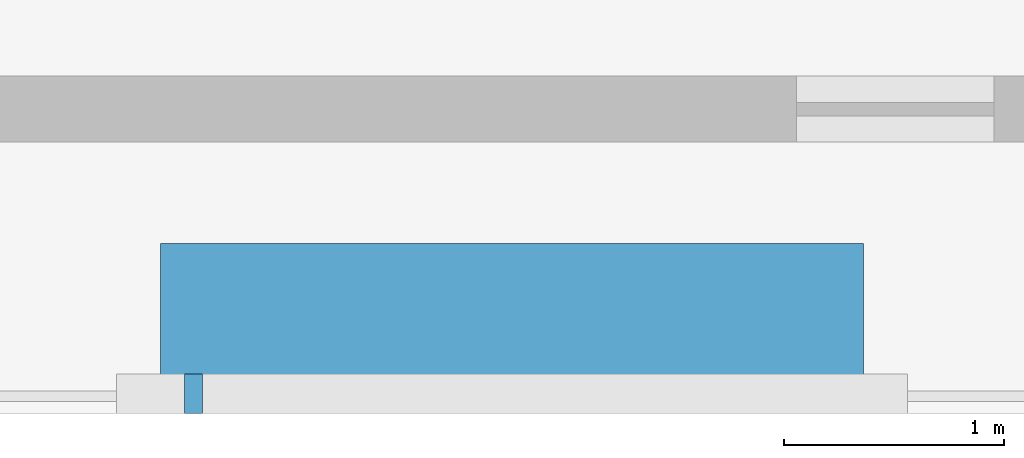
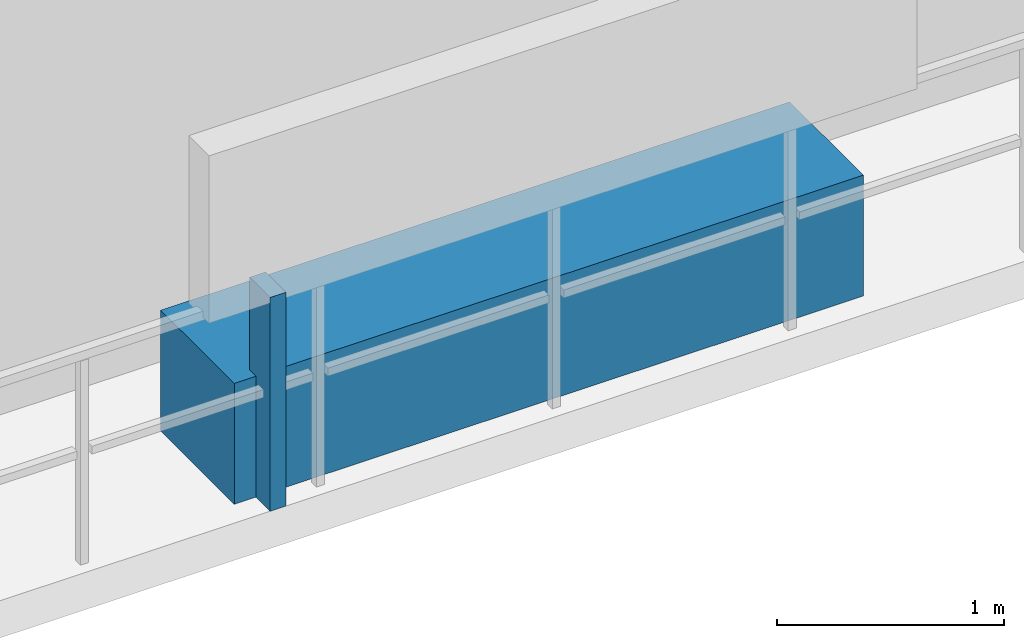
# One storey, part 28 of 33: 2 discrete accessories.
"""IFC4 building model written with IfcOpenShell, lengths in metres."""

from ifc_helpers import new_model, si_unit, direction, frame, origin, origin_2d, place, context, subcontext, project, spatial, rectangle, extrude, material, type_object, element, save


model = new_model("IFC4")

# Units and contexts
model_context = context("Model", 3, precision=1e-05, world=origin(), true_north=direction((0.0, 1.0)))
body_context = subcontext(model_context, "Body", "Model", "MODEL_VIEW")
ifc_project = project(units=[si_unit("LENGTHUNIT", "METRE"), si_unit("AREAUNIT", "SQUARE_METRE"), si_unit("VOLUMEUNIT", "CUBIC_METRE"), si_unit("PLANEANGLEUNIT", "RADIAN"), si_unit("MASSUNIT", "GRAM", prefix="KILO")], contexts=[model_context])

# Site, building, storey
site_placement = place(None, origin())
site = spatial("IfcSite", under=ifc_project, at=site_placement, CompositionType="ELEMENT")
building_placement = place(site_placement, origin())
building = spatial("IfcBuilding", under=site, at=building_placement, Name="Thornwick Lancets Civic Towers", CompositionType="ELEMENT")
storey_placement = place(building_placement, frame((0.0, 0.0, 167.10009765625)))
storey = spatial("IfcBuildingStorey", under=building, at=storey_placement, Name="L44", CompositionType="ELEMENT", Elevation=167.10009765625)

# Discrete accessories
ifc_material_1 = material(Name="Planted terracotta greenery planter", Category="masonry")
discrete_accessory_type_1 = type_object("IfcDiscreteAccessoryType", Name="ACC_PLANTER_BOX", PredefinedType="USERDEFINED", material=ifc_material_1)
discrete_accessory_1_placement = place(storey_placement, frame((25.5, 2.300048828125, 0.0), z_axis=(0.0, 0.0, 1.0), x_axis=(1.0, 0.0, 0.0)))
element("IfcDiscreteAccessory", 1, at=discrete_accessory_1_placement, inside=storey, type_object=discrete_accessory_type_1, Name="L44 Tower A Balcony Greenery Planter S", ObjectType="PLANTER", PredefinedType="USERDEFINED", context=body_context, shape_type="SweptSolid", body=[
    extrude(rectangle(XDim=3.199951171875, YDim=0.64990234375, at=origin_2d()), origin(), (0.0, 0.0, 1.0), 0.64990234375),
])
ifc_material_2 = material(Name="Stainless steel S355", Category="steel")
discrete_accessory_type_2 = type_object("IfcDiscreteAccessoryType", Name="ACC_SCREEN_BRACKET", PredefinedType="BRACKET", material=ifc_material_2)
discrete_accessory_2_placement = place(storey_placement, frame((24.050048828125, 1.93994140625, 0.0), z_axis=(0.0, 0.0, 1.0), x_axis=(1.0, 0.0, 0.0)))
element("IfcDiscreteAccessory", 2, at=discrete_accessory_2_placement, inside=storey, type_object=discrete_accessory_type_2, Name="L44 Tower A Balcony Screen Stanchion Bracket S-1", PredefinedType="BRACKET", context=body_context, shape_type="SweptSolid", body=[
    extrude(rectangle(XDim=0.080078125, YDim=0.179931640625, at=origin_2d()), origin(), (0.0, 0.0, 1.0), 1.14990234375),
])

save(model, "model.ifc")
